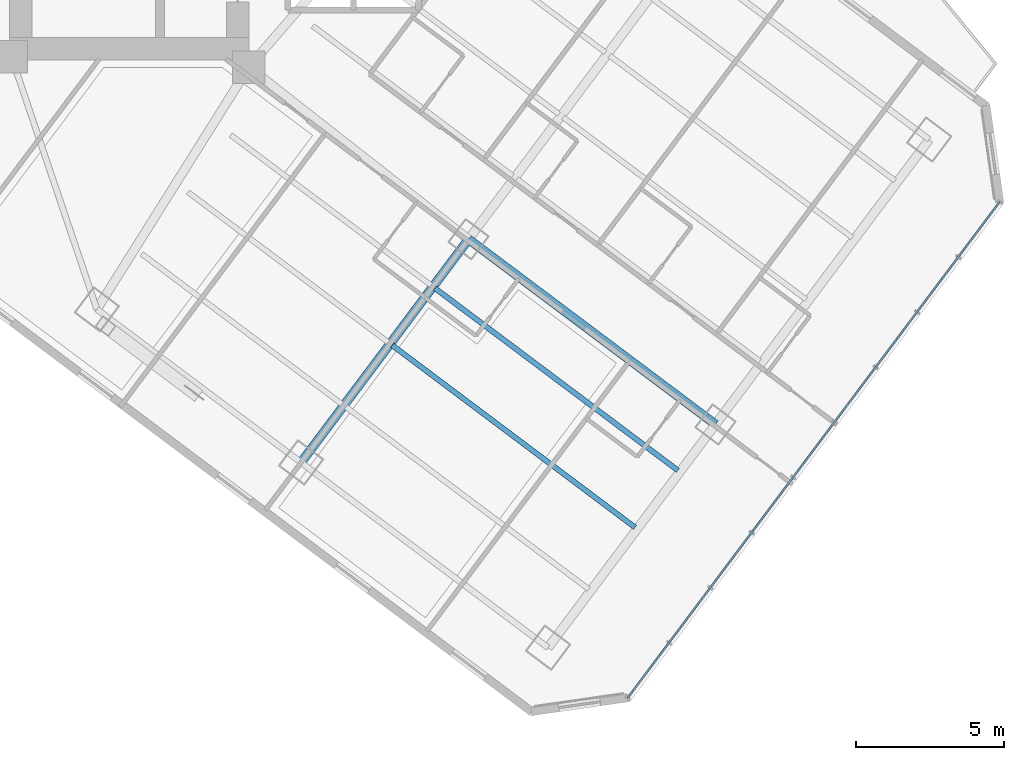
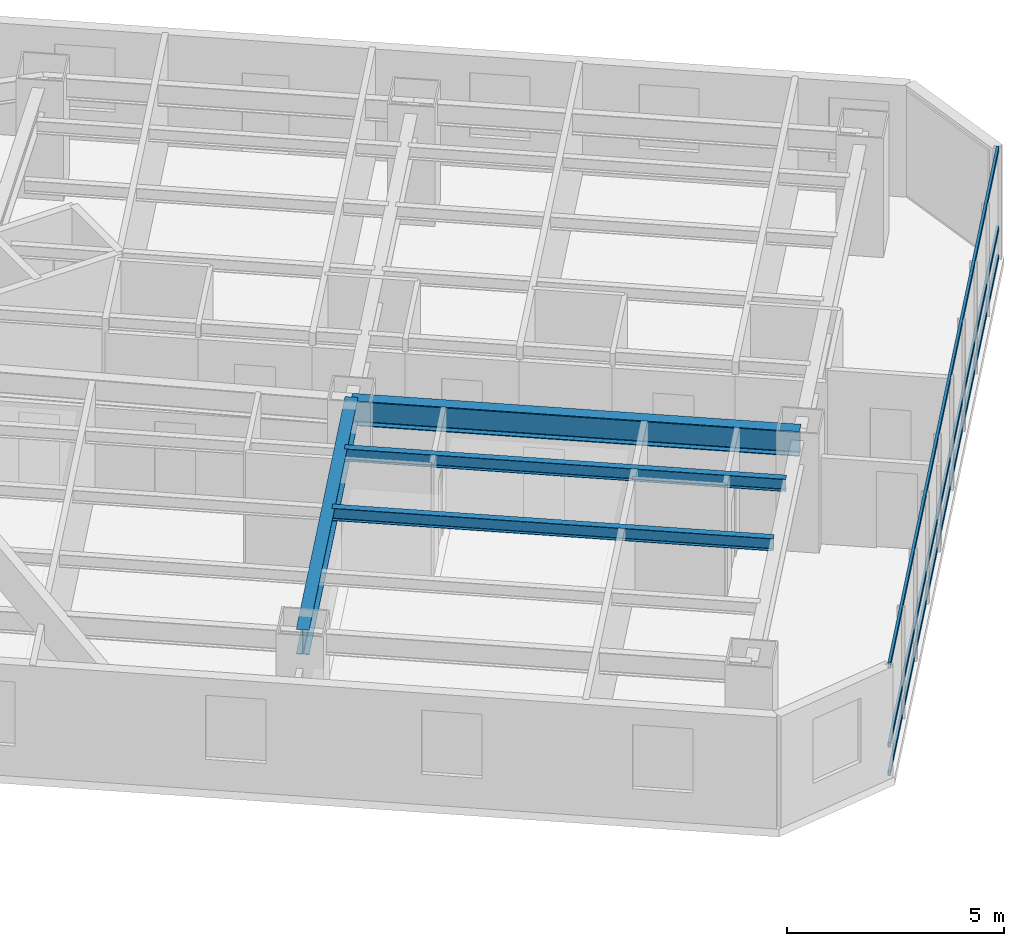
# One storey, part 9 of 32: 4 beams, 3 members, 1 element without a shape of its own.
"""IFC4 building model written with IfcOpenShell, lengths in metres."""

from ifc_helpers import new_model, si_unit, direction, frame, origin, origin_2d, place, context, subcontext, project, spatial, hollow_rectangle, i_section, extrude, material, layer, layer_set, material_profile, profile_set, type_object, element, aggregate, save


model = new_model("IFC4")

# Units and contexts
model_context = context("Model", 3, precision=1e-05, world=origin(), true_north=direction((0.0, 1.0)))
body_context = subcontext(model_context, "Body", "Model", "MODEL_VIEW")
ifc_project = project(units=[si_unit("LENGTHUNIT", "METRE"), si_unit("AREAUNIT", "SQUARE_METRE"), si_unit("VOLUMEUNIT", "CUBIC_METRE"), si_unit("PLANEANGLEUNIT", "RADIAN"), si_unit("MASSUNIT", "GRAM", prefix="KILO")], contexts=[model_context])

# Site, building, storey
site_placement = place(None, origin())
site = spatial("IfcSite", under=ifc_project, at=site_placement, CompositionType="ELEMENT")
building_placement = place(site_placement, origin())
building = spatial("IfcBuilding", under=site, at=building_placement, Name="Hatsunagi Terrace Concourse", CompositionType="ELEMENT")
storey_placement = place(building_placement, frame((0.0, 0.0, 36.60009765625)))
storey = spatial("IfcBuildingStorey", under=building, at=storey_placement, Name="L08", CompositionType="ELEMENT", Elevation=36.60009765625)

# Curtain wall, members
ifc_material_1 = material(Name="Anodised Aluminium Alloy 6063-T5", Category="aluminium")
ifc_layer = layer(ifc_material_1, 0.199951171875)
ifc_layer_set = layer_set([ifc_layer], Name="HotelFacade_CW02")
curtain_wall_type = type_object("IfcCurtainWallType", Name="HotelFacade_CW02", PredefinedType="NOTDEFINED", material=ifc_layer_set)
curtain_wall_placement = place(storey_placement, origin())
curtain_wall = element("IfcCurtainWall", 1, at=curtain_wall_placement, inside=storey, type_object=curtain_wall_type, Name="Unitised Curtain Wall CW-02 CW-L08-03", PredefinedType="NOTDEFINED")
ifc_material_2 = material(Name="Anodised Aluminium Alloy 6063-T5", Category="aluminium")
ifc_material_profile_1 = material_profile(ifc_material_2, hollow_rectangle(XDim=0.06494140625, YDim=0.139892578125, WallThickness=0.00390625, at=origin_2d()), Name="ALU-TRN-140x65x4")
ifc_profile_set_1 = profile_set([ifc_material_profile_1], Name="Anodised Aluminium Alloy 6063-T5")
member_type = type_object("IfcMemberType", Name="CurtainWallTransom_140x65", PredefinedType="USERDEFINED", material=ifc_profile_set_1)
member_1_placement = place(storey_placement, frame((69.093017578125, 19.657958984375, 0.0498046875), z_axis=(-0.599970072971, -0.800022444397, 0.0), x_axis=(0.800022444397, -0.599970072971, 0.0)))
member_1 = element("IfcMember", 2, at=member_1_placement, type_object=member_type, Name="Curtain Wall Transom TRN-02", ObjectType="TRANSOM", PredefinedType="USERDEFINED", context=body_context, shape_type="SweptSolid", body=[
    extrude(hollow_rectangle(XDim=0.06494140625, YDim=0.139892578125, WallThickness=0.00390625, at=origin_2d()), origin(), (0.0, 0.0, 1.0), 20.884521484375),
])
member_2_placement = place(storey_placement, frame((69.093017578125, 19.657958984375, 0.849853515625), z_axis=(-0.599970072971, -0.800022444397, 0.0), x_axis=(0.800022444397, -0.599970072971, 0.0)))
member_2 = element("IfcMember", 3, at=member_2_placement, type_object=member_type, Name="Curtain Wall Transom TRN-02", ObjectType="TRANSOM", PredefinedType="USERDEFINED", context=body_context, shape_type="SweptSolid", body=[
    extrude(hollow_rectangle(XDim=0.06494140625, YDim=0.139892578125, WallThickness=0.00390625, at=origin_2d()), origin(), (0.0, 0.0, 1.0), 20.884521484375),
])
member_3_placement = place(storey_placement, frame((69.093017578125, 19.657958984375, 3.079833984375), z_axis=(-0.599970072971, -0.800022444397, 0.0), x_axis=(0.800022444397, -0.599970072971, 0.0)))
member_3 = element("IfcMember", 4, at=member_3_placement, type_object=member_type, Name="Curtain Wall Transom TRN-02", ObjectType="TRANSOM", PredefinedType="USERDEFINED", context=body_context, shape_type="SweptSolid", body=[
    extrude(hollow_rectangle(XDim=0.06494140625, YDim=0.139892578125, WallThickness=0.00390625, at=origin_2d()), origin(), (0.0, 0.0, 1.0), 20.884521484375),
])
aggregate(curtain_wall, [member_1, member_2, member_3])

# Beams
ifc_material_3 = material(Name="Steel SN490B", Category="steel")
ifc_material_profile_2 = material_profile(ifc_material_3, i_section(OverallWidth=0.300048828125, OverallDepth=0.699951171875, WebThickness=0.012939453125, FlangeThickness=0.02392578125, FilletRadius=0.02197265625, at=origin_2d()), Name="H-700x300x13x24")
ifc_profile_set_2 = profile_set([ifc_material_profile_2], Name="Steel SN490B")
beam_type_1 = type_object("IfcBeamType", Name="HotelFloorGirder_H_700x300", PredefinedType="BEAM", material=ifc_profile_set_2)
beam_1_placement = place(storey_placement, frame((45.56005859375, 10.8798828125, 2.77978515625), z_axis=(0.599991688754, 0.800006233367, 0.0), x_axis=(-0.800006233367, 0.599991688754, 0.0)))
element("IfcBeam", 5, at=beam_1_placement, inside=storey, type_object=beam_type_1, Name="Beam G-04 BM-L08-SET-2A", PredefinedType="BEAM", context=body_context, shape_type="SweptSolid", body=[
    extrude(i_section(OverallWidth=0.300048828125, OverallDepth=0.699951171875, WebThickness=0.012939453125, FlangeThickness=0.02392578125, FilletRadius=0.02197265625, at=origin_2d()), origin(), (0.0, 0.0, 1.0), 9.39990234375),
])
beam_2_placement = place(storey_placement, frame((51.199951171875, 18.39990234375, 2.77978515625), z_axis=(0.800002816985, -0.599996244001, 0.0), x_axis=(0.599996244001, 0.800002816985, 0.0)))
element("IfcBeam", 6, at=beam_2_placement, inside=storey, type_object=beam_type_1, Name="Beam G-04 BM-L08-SE-M3", PredefinedType="BEAM", context=body_context, shape_type="SweptSolid", body=[
    extrude(i_section(OverallWidth=0.300048828125, OverallDepth=0.699951171875, WebThickness=0.012939453125, FlangeThickness=0.02392578125, FilletRadius=0.02197265625, at=origin_2d()), origin(), (0.0, 0.0, 1.0), 10.400146484375),
])
ifc_material_4 = material(Name="Steel SN490B", Category="steel")
ifc_material_profile_3 = material_profile(ifc_material_4, i_section(OverallWidth=0.175048828125, OverallDepth=0.35009765625, WebThickness=0.007080078125, FlangeThickness=0.010986328125, FilletRadius=0.012939453125, at=origin_2d()), Name="H-350x175x7x11")
ifc_profile_set_3 = profile_set([ifc_material_profile_3], Name="Steel SN490B")
beam_type_2 = type_object("IfcBeamType", Name="HotelJoist_H_350x175", PredefinedType="JOIST", material=ifc_profile_set_3)
beam_3_placement = place(storey_placement, frame((48.6279296875, 14.8291015625, 2.954833984375), z_axis=(0.799994272423, -0.600007636694, 0.0), x_axis=(0.600007636694, 0.799994272423, 0.0)))
element("IfcBeam", 7, at=beam_3_placement, inside=storey, type_object=beam_type_2, Name="Beam J-02 J-L08-SE-3-72", PredefinedType="JOIST", context=body_context, shape_type="SweptSolid", body=[
    extrude(i_section(OverallWidth=0.175048828125, OverallDepth=0.35009765625, WebThickness=0.007080078125, FlangeThickness=0.010986328125, FilletRadius=0.012939453125, at=origin_2d()), origin(), (0.0, 0.0, 1.0), 10.230224609375),
])
beam_4_placement = place(storey_placement, frame((50.068115234375, 16.7490234375, 2.954833984375), z_axis=(0.799997136125, -0.600003818481, 0.0), x_axis=(0.600003818481, 0.799997136125, 0.0)))
element("IfcBeam", 8, at=beam_4_placement, inside=storey, type_object=beam_type_2, Name="Beam J-02 J-L08-SE-3-96", PredefinedType="JOIST", context=body_context, shape_type="SweptSolid", body=[
    extrude(i_section(OverallWidth=0.175048828125, OverallDepth=0.35009765625, WebThickness=0.007080078125, FlangeThickness=0.010986328125, FilletRadius=0.012939453125, at=origin_2d()), origin(), (0.0, 0.0, 1.0), 10.229736328125),
])

save(model, "model.ifc")
